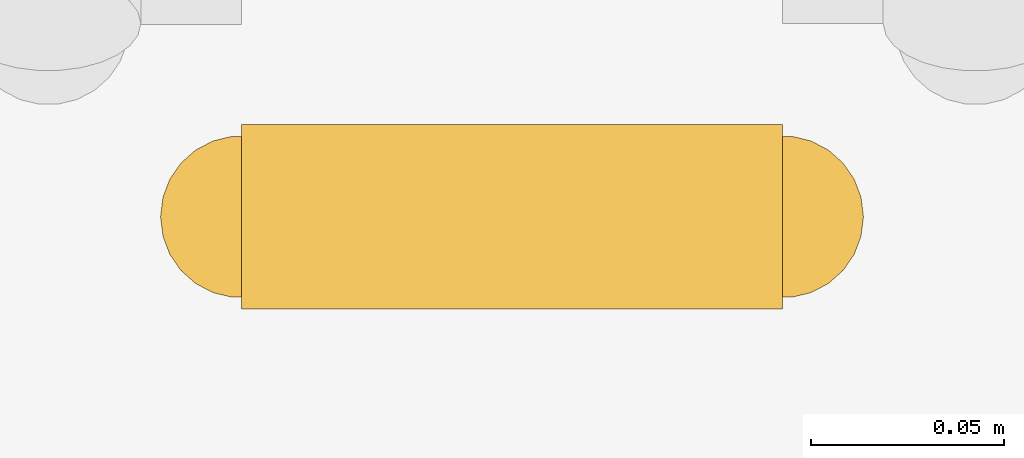
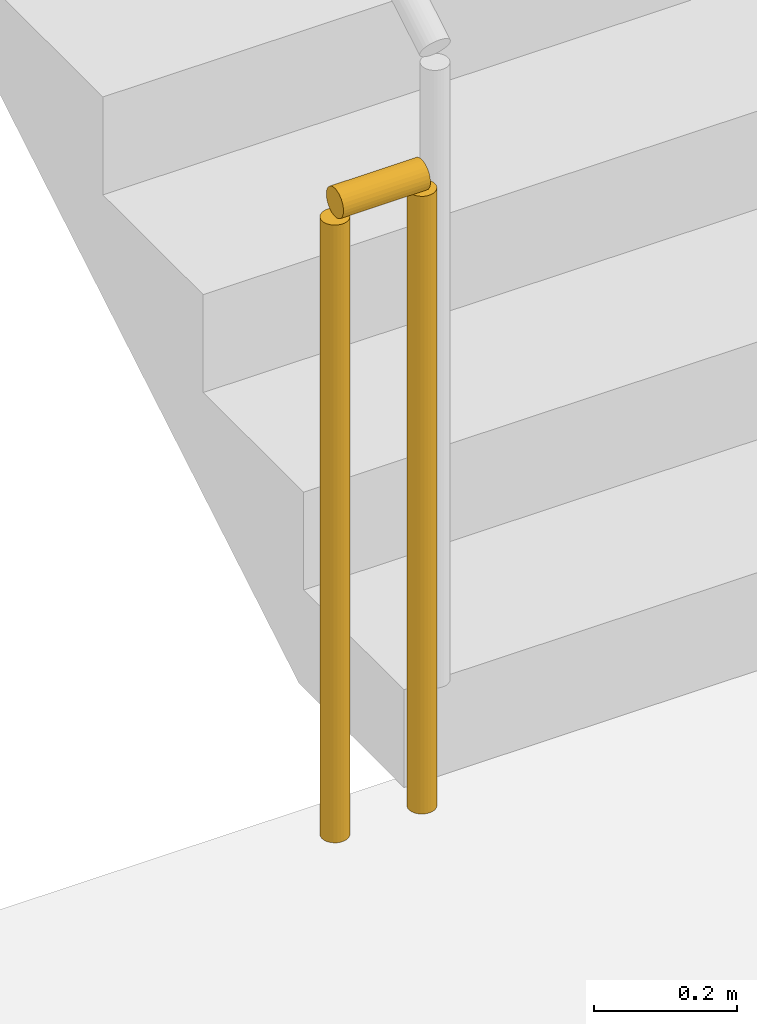
# One storey, part 11 of 14: 1 railing.
"""IFC4 building model written with IfcOpenShell, lengths in metres."""

from ifc_helpers import new_model, si_unit, direction, frame, origin, origin_2d, place, context, subcontext, project, spatial, circle, extrude, material, type_object, element, save


model = new_model("IFC4")

# Units and contexts
model_context = context("Model", 3, precision=1e-05, world=origin(), true_north=direction((0.0, 1.0)))
body_context = subcontext(model_context, "Body", "Model", "MODEL_VIEW")
ifc_project = project(units=[si_unit("LENGTHUNIT", "METRE"), si_unit("AREAUNIT", "SQUARE_METRE"), si_unit("VOLUMEUNIT", "CUBIC_METRE"), si_unit("PLANEANGLEUNIT", "RADIAN"), si_unit("MASSUNIT", "GRAM", prefix="KILO")], contexts=[model_context])

# Site, building, storey
site_placement = place(None, origin())
site = spatial("IfcSite", under=ifc_project, at=site_placement, CompositionType="ELEMENT")
building_placement = place(site_placement, origin())
building = spatial("IfcBuilding", under=site, at=building_placement, Name="Kemercrest Conservatory and Botanical Centre", CompositionType="ELEMENT")
storey_placement = place(building_placement, frame((0.0, 0.0, 32.800048828125)))
storey = spatial("IfcBuildingStorey", under=building, at=storey_placement, Name="L08", CompositionType="ELEMENT", Elevation=32.800048828125)

# Railing
ifc_material = material(Name="Painted galvanized steel tubular stair guardrail", Category="steel")
railing_type = type_object("IfcRailingType", Name="GR-STR110", PredefinedType="GUARDRAIL", material=ifc_material)
railing_placement = place(storey_placement, frame((152.820068359375, 106.7900390625, 0.0)))
element("IfcRailing", 1, at=railing_placement, inside=storey, type_object=railing_type, Name="L08 ST-V4A stair guard 4", PredefinedType="GUARDRAIL", context=body_context, shape_type="SweptSolid", body=[
    extrude(circle(Radius=0.02392578125, at=origin_2d()), frame((0.0, 0.0, 1.076171875), z_axis=(-1.0, 0.0, 0.0), x_axis=(0.0, -1.0, 0.0)), (0.0, 0.0, 1.0), 0.14013671875),
    extrude(circle(Radius=0.02099609375, at=origin_2d()), origin(), (0.0, 0.0, 1.0), 1.052001953125),
    extrude(circle(Radius=0.02099609375, at=origin_2d()), frame((-0.14013671875, 0.0, 0.0)), (0.0, 0.0, 1.0), 1.052001953125),
])

save(model, "model.ifc")
